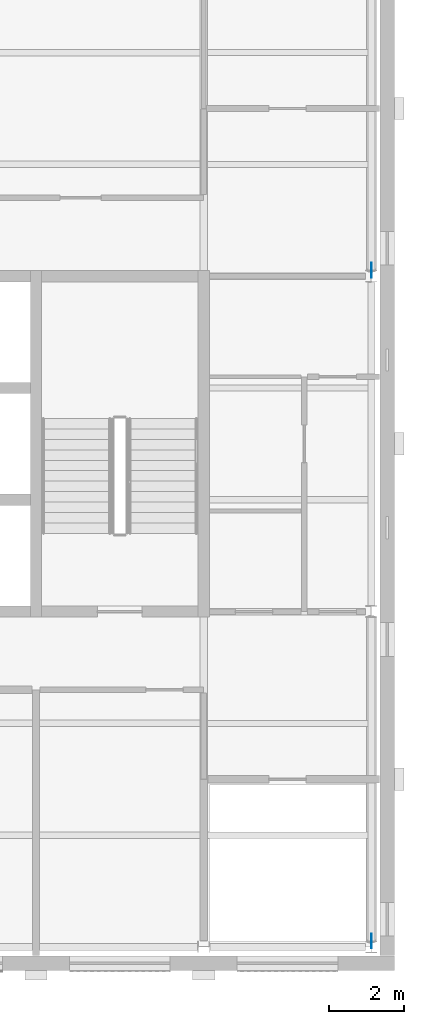
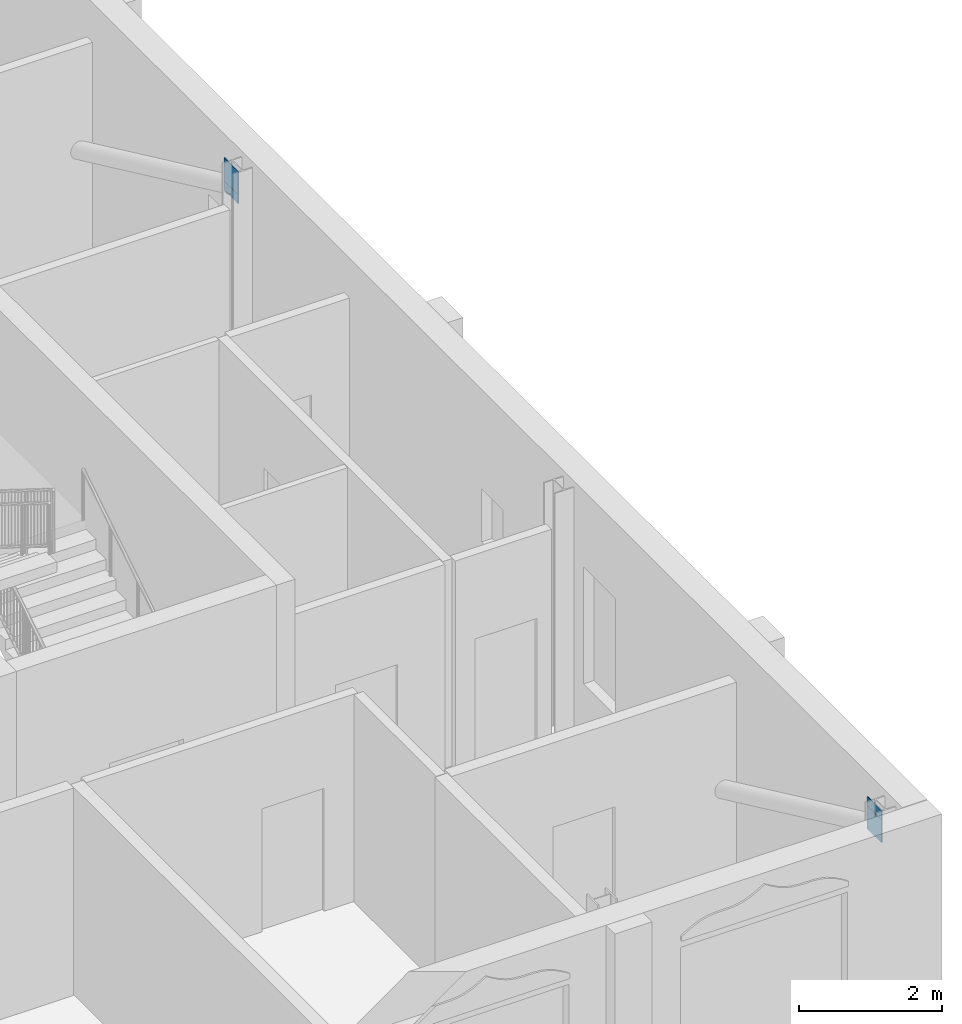
# One storey, part 7 of 9: 4 discrete accessories.
"""IFC4 building model written with IfcOpenShell, lengths in metres."""

import ifcopenshell
import ifcopenshell.guid

model = None  # the IFC model being written
_history = None  # IfcOwnerHistory: only IFC2X3 demands one
_inside = {}  # id of a spatial element -> (the spatial element, [elements in it])
_under = {}  # id of a project, library or spatial element -> (it, [spatial elements below it])
_declared = {}  # id of a project -> (the project, [libraries it declares])
_typed = {}  # id of a type object -> (the type object, [elements of that type])
_made_of = {}  # id of a material, layer set ... -> (it, [elements and type objects made of it])


def new_model(schema):
    """Start an empty IFC model of exactly this schema.

    Asked for "IFC4X3", IfcOpenShell would pick the latest addendum, in which some entities
    have other attributes; the version numbers below select the first issue.
    IFC2X3 requires an IfcOwnerHistory on every rooted entity: one is made here for all.
    """
    global model, _history
    if schema == "IFC4X3":
        model = ifcopenshell.file(schema_version=(4, 3, 0, 0))
    else:
        model = ifcopenshell.file(schema=schema)
    _inside.clear()
    _under.clear()
    _declared.clear()
    _typed.clear()
    _made_of.clear()
    _history = None
    if model.schema == "IFC2X3":
        org = make("IfcOrganization", Name="unknown")
        user = make(
            "IfcPersonAndOrganization",
            ThePerson=make("IfcPerson", FamilyName="unknown"),
            TheOrganization=org,
        )
        app = make(
            "IfcApplication",
            ApplicationDeveloper=org,
            Version="unknown",
            ApplicationFullName="unknown",
            ApplicationIdentifier="unknown",
        )
        _history = make(
            "IfcOwnerHistory",
            OwningUser=user,
            OwningApplication=app,
            ChangeAction="ADDED",
            CreationDate=0,
        )
    return model


def make(cls, **values):
    """One entity of the class cls with the attributes given. An attribute that is None is left unset."""
    return model.create_entity(
        cls, **{name: value for name, value in values.items() if value is not None}
    )


def rooted(cls, **values):
    """An entity with a GlobalId (a new one), such as an element, a storey or a relation."""
    return make(cls, GlobalId=ifcopenshell.guid.new(), OwnerHistory=_history, **values)


def si_unit(unit_type, name, prefix=None):
    """IfcSIUnit, for example si_unit("LENGTHUNIT", "METRE", prefix="MILLI")."""
    return make("IfcSIUnit", UnitType=unit_type, Prefix=prefix, Name=name)


def assignment(units):
    """IfcUnitAssignment: the units of a project."""
    return None if units is None else make("IfcUnitAssignment", Units=units)


def point(xyz):
    """IfcCartesianPoint."""
    return None if xyz is None else make("IfcCartesianPoint", Coordinates=xyz)


def direction(xyz):
    """IfcDirection."""
    return None if xyz is None else make("IfcDirection", DirectionRatios=xyz)


def frame(location, z_axis=None, x_axis=None):
    """IfcAxis2Placement3D, a coordinate frame: its origin and axes. An axis left out is left unset."""
    return make(
        "IfcAxis2Placement3D",
        Location=point(location),
        Axis=direction(z_axis),
        RefDirection=direction(x_axis),
    )


def frame_2d(location, x_axis=None):
    """IfcAxis2Placement2D, a coordinate frame in the plane: its origin and x axis."""
    return make(
        "IfcAxis2Placement2D", Location=point(location), RefDirection=direction(x_axis)
    )


def origin():
    """The frame at (0, 0, 0) with its axes left unset."""
    return frame((0.0, 0.0, 0.0))


def origin_2d():
    """The frame at (0, 0) in the plane with its x axis left unset."""
    return frame_2d((0.0, 0.0))


def place(relative_to, where):
    """IfcLocalPlacement: puts the frame where relative to a parent placement (None: the world)."""
    return make(
        "IfcLocalPlacement", PlacementRelTo=relative_to, RelativePlacement=where
    )


def context(
    kind, dimensions, precision=None, world=None, true_north=None, identifier=None
):
    """IfcGeometricRepresentationContext, for example the 3D "Model" context."""
    return make(
        "IfcGeometricRepresentationContext",
        ContextIdentifier=identifier,
        ContextType=kind,
        CoordinateSpaceDimension=dimensions,
        Precision=precision,
        WorldCoordinateSystem=world,
        TrueNorth=true_north,
    )


def subcontext(parent, identifier, kind, view, scale=None):
    """IfcGeometricRepresentationSubContext, for example "Body" below "Model"."""
    return make(
        "IfcGeometricRepresentationSubContext",
        ContextIdentifier=identifier,
        ContextType=kind,
        ParentContext=parent,
        TargetScale=scale,
        TargetView=view,
    )


def project(units=None, contexts=None):
    """IfcProject with its units and contexts."""
    return rooted(
        "IfcProject",
        Name="project",
        RepresentationContexts=contexts,
        UnitsInContext=assignment(units),
    )


def spatial(cls, under=None, at=None, **own):
    """A site, building, storey or space (cls), placed at a placement, below another one or the project."""
    s = rooted(cls, ObjectPlacement=at, **own)
    if under is not None:
        _under.setdefault(under.id(), (under, []))[1].append(s)
    return s


def profile(cls, at=None, kind="AREA", **sizes):
    """A parametric profile (cls). Its sizes go by their IFC names, for example OverallWidth=200.0."""
    return make(cls, ProfileType=kind, Position=at, **sizes)


def rectangle(**sizes):
    """IfcRectangleProfileDef."""
    return profile("IfcRectangleProfileDef", **sizes)


def extrude(swept, where, along, depth):
    """IfcExtrudedAreaSolid: the profile swept, set in the frame where, extruded along a direction by depth."""
    return make(
        "IfcExtrudedAreaSolid",
        SweptArea=swept,
        Position=where,
        ExtrudedDirection=direction(along),
        Depth=depth,
    )


def shape(context_of_items, identifier, shape_type, items):
    """IfcShapeRepresentation: the items that make up one representation, for example the "Body"."""
    return make(
        "IfcShapeRepresentation",
        ContextOfItems=context_of_items,
        RepresentationIdentifier=identifier,
        RepresentationType=shape_type,
        Items=items,
    )


def material(Name=None, Category=None):
    """IfcMaterial."""
    return make("IfcMaterial", Name=Name, Category=Category)


def made_of(thing, what):
    """Note that an element or type object is made of a material, layer set ...; save() writes the relation."""
    if what is not None:
        _made_of.setdefault(what.id(), (what, []))[1].append(thing)
    return thing


def type_object(cls, material=None, **own):
    """A type object (cls), such as IfcWallType, which elements share."""
    return made_of(rooted(cls, **own), material)


def element(
    cls,
    number,
    at=None,
    inside=None,
    cuts=None,
    type_object=None,
    material=None,
    context=None,
    identifier="Body",
    shape_type=None,
    held_by="IfcProductDefinitionShape",
    body=None,
    shapes=None,
    **own,
):
    """One element of the class cls, such as IfcWall. Its Tag is "e" and its number.

    at: its placement. inside: the storey or other place that contains it. cuts: it is an
    opening in that element (IfcRelVoidsElement). A single representation is given by context,
    identifier, shape_type and body (its items); several are given by shapes. held_by: the class
    of the entity that holds the representations. save() writes the other relations.
    """
    e = rooted(cls, Tag="e%d" % number, ObjectPlacement=at, **own)
    if body is not None:
        shapes = [shape(context, identifier, shape_type, body)]
    if shapes is not None:
        e.Representation = make(held_by, Representations=shapes)
    if inside is not None:
        _inside.setdefault(inside.id(), (inside, []))[1].append(e)
    if cuts is not None:
        rooted(
            "IfcRelVoidsElement", RelatingBuildingElement=cuts, RelatedOpeningElement=e
        )
    if type_object is not None:
        _typed.setdefault(type_object.id(), (type_object, []))[1].append(e)
    return made_of(e, material)


def aggregate(whole, parts):
    """IfcRelAggregates: a whole, such as a stair, and the parts it consists of."""
    return rooted("IfcRelAggregates", RelatingObject=whole, RelatedObjects=parts)


def save(model, path):
    """Write the relations noted so far, then the file.

    IfcRelAggregates (storeys below a building ...), IfcRelContainedInSpatialStructure (elements
    in a storey), IfcRelDefinesByType, IfcRelAssociatesMaterial and IfcRelDeclares: one each for
    every whole, place, type object, material and project.
    """
    for whole, parts in _under.values():
        aggregate(whole, parts)
    for where, things in _inside.values():
        rooted(
            "IfcRelContainedInSpatialStructure",
            RelatedElements=things,
            RelatingStructure=where,
        )
    for kind, things in _typed.values():
        rooted("IfcRelDefinesByType", RelatedObjects=things, RelatingType=kind)
    for what, things in _made_of.values():
        rooted("IfcRelAssociatesMaterial", RelatedObjects=things, RelatingMaterial=what)
    for by, libraries in _declared.values():
        rooted("IfcRelDeclares", RelatingContext=by, RelatedDefinitions=libraries)
    model.write(path)


model = new_model("IFC4")

# Units and contexts
model_context = context("Model", 3, precision=1e-05, world=origin(), true_north=direction((0.0, 1.0)))
body_context = subcontext(model_context, "Body", "Model", "MODEL_VIEW")
ifc_project = project(units=[si_unit("LENGTHUNIT", "METRE"), si_unit("AREAUNIT", "SQUARE_METRE"), si_unit("VOLUMEUNIT", "CUBIC_METRE"), si_unit("PLANEANGLEUNIT", "RADIAN"), si_unit("MASSUNIT", "GRAM", prefix="KILO")], contexts=[model_context])

# Site, building, storey
site_placement = place(None, origin())
site = spatial("IfcSite", under=ifc_project, at=site_placement, CompositionType="ELEMENT")
building_placement = place(site_placement, origin())
building = spatial("IfcBuilding", under=site, at=building_placement, Name="Hortulan Conservatory and Botanical Research Centre", CompositionType="ELEMENT")
storey_placement = place(building_placement, frame((0.0, 0.0, 44.39990234375)))
storey = spatial("IfcBuildingStorey", under=building, at=storey_placement, Name="L10", CompositionType="ELEMENT", Elevation=44.39990234375)

# Discrete accessories
ifc_material = material(Name="Steel Grade 300 plate (AS/NZS 3678, 280 MPa minimum yield)", Category="steel")
discrete_accessory_type = type_object("IfcDiscreteAccessoryType", Name="End Plate 400x16", PredefinedType="BRACKET", material=ifc_material)
for number, where, z_axis, x_axis, name in (
    (1, (31.5, 0.160400390625, 3.566650390625), (0.0, 0.0, 1.0), (0.0, -1.0, 0.0), "Brace end plate"),
    (2, (31.5, 0.160400390625, 3.716552734375), (0.0, 0.0, 1.0), (0.0, -1.0, 0.0), "Brace end plate"),
    (3, (31.5, 18.160400390625, 3.566650390625), (0.0, 0.0, 1.0), (0.0, -1.0, 0.0), "Brace end plate"),
    (4, (31.5, 18.160400390625, 3.716552734375), (0.0, 0.0, 1.0), (0.0, -1.0, 0.0), "Brace end plate"),
):
    element("IfcDiscreteAccessory", number, at=place(storey_placement, frame(where, z_axis=z_axis, x_axis=x_axis)), inside=storey, type_object=discrete_accessory_type, Name=name, PredefinedType="BRACKET", context=body_context, shape_type="SweptSolid", body=[
        extrude(rectangle(XDim=0.39990234375, YDim=0.01611328125, at=origin_2d()), origin(), (0.0, 0.0, 1.0), 0.39990234375),
    ])

save(model, "model.ifc")
